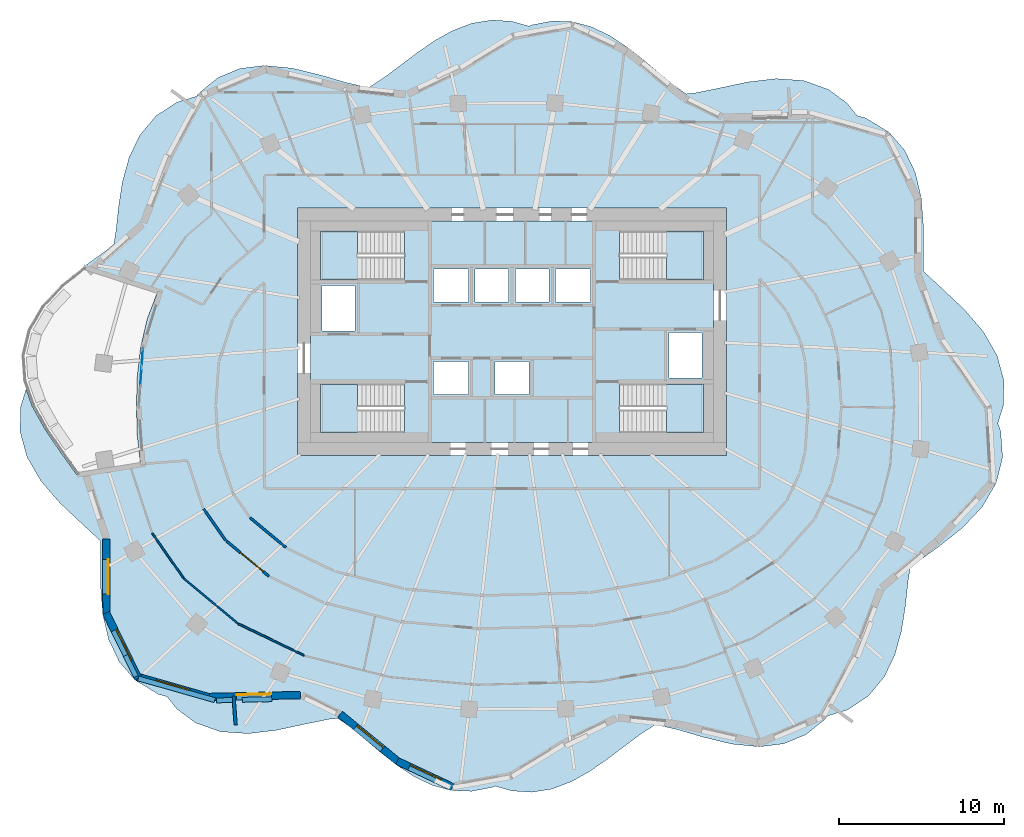
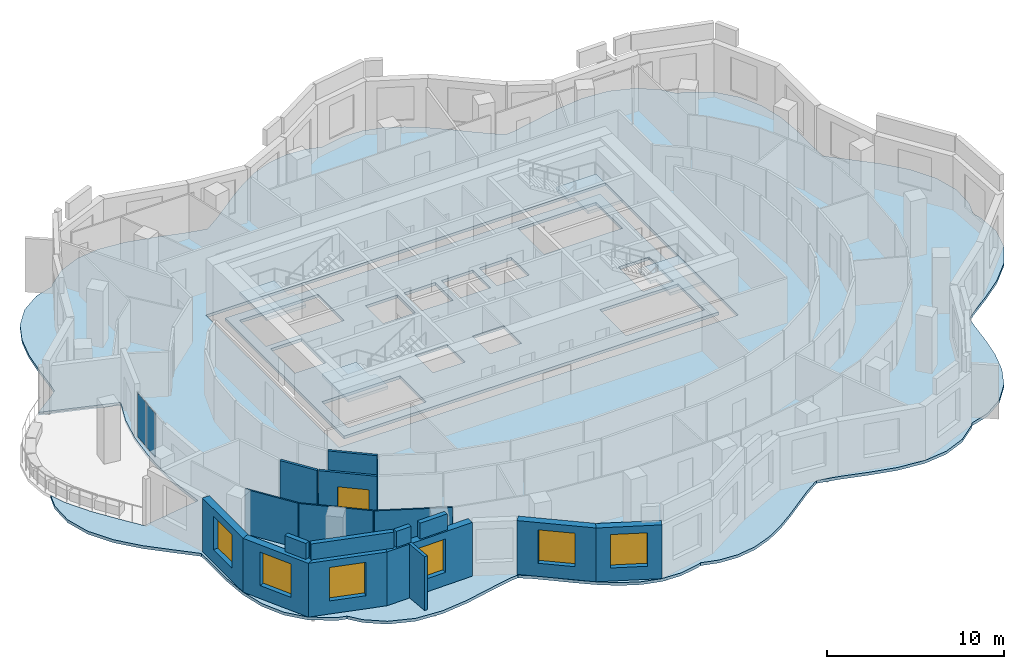
# One storey, part 4 of 13: 17 walls, 6 slabs, 6 windows, 2 plates, 1 door, 7 openings, 5 elements without a shape of their own.
"""IFC4 building model written with IfcOpenShell, lengths in metres."""

from ifc_helpers import new_model, si_unit, direction, frame, frame_2d, origin, origin_2d, place, context, subcontext, project, spatial, polyline, rectangle, outline, extrude, material, layer, layer_set, type_object, element, fill, aggregate, save


model = new_model("IFC4")

# Units and contexts
model_context = context("Model", 3, precision=1e-05, world=origin(), true_north=direction((0.0, 1.0)))
body_context = subcontext(model_context, "Body", "Model", "MODEL_VIEW")
ifc_project = project(units=[si_unit("LENGTHUNIT", "METRE"), si_unit("AREAUNIT", "SQUARE_METRE"), si_unit("VOLUMEUNIT", "CUBIC_METRE"), si_unit("PLANEANGLEUNIT", "RADIAN"), si_unit("MASSUNIT", "GRAM", prefix="KILO")], contexts=[model_context])

# Site, building, storey
site_placement = place(None, origin())
site = spatial("IfcSite", under=ifc_project, at=site_placement, CompositionType="ELEMENT")
building_placement = place(site_placement, origin())
building = spatial("IfcBuilding", under=site, at=building_placement, Name="Rubra Terraces Tower", CompositionType="ELEMENT")
storey_placement = place(building_placement, frame((0.0, 0.0, 209.10009765625)))
storey = spatial("IfcBuildingStorey", under=building, at=storey_placement, Name="L51", CompositionType="ELEMENT", Elevation=209.10009765625)

# Slab
ifc_material_1 = material(Name="Concrete C40", Category="concrete")
ifc_layer_1 = layer(ifc_material_1, 0.199951171875)
ifc_layer_set_1 = layer_set([ifc_layer_1], Name="Concrete C40")
slab_type_1 = type_object("IfcSlabType", Name="Core floor slab 200 concrete", PredefinedType="FLOOR", material=ifc_layer_set_1)
slab_1_placement = place(storey_placement, frame((0.0, 0.0, -0.2001953125)))
element("IfcSlab", 1, at=slab_1_placement, inside=storey, type_object=slab_type_1, Name="CORE FLOOR SLAB L51", PredefinedType="FLOOR", context=body_context, shape_type="SweptSolid", body=[
    extrude(outline(polyline([(-12.199951171875, -2.199951171875), (-12.199951171875, 11.199951171875), (12.199951171875, 11.199951171875), (12.199951171875, -2.199951171875), (-12.199951171875, -2.199951171875)]), holes=[polyline([(11.597900390625, 1.347900390625), (6.501953125, 1.347900390625), (6.501953125, -1.597900390625), (11.597900390625, -1.597900390625), (11.597900390625, 1.347900390625)]), polyline([(11.597900390625, 7.652099609375), (11.597900390625, 10.597900390625), (6.501953125, 10.597900390625), (6.501953125, 7.652099609375), (11.597900390625, 7.652099609375)]), polyline([(9.5, 1.699951171875), (11.5, 1.699951171875), (11.5, 4.449951171875), (9.5, 4.449951171875), (9.5, 1.699951171875)]), polyline([(4.75, 6.300048828125), (4.75, 8.300048828125), (2.64990234375, 8.300048828125), (2.64990234375, 6.300048828125), (4.75, 6.300048828125)]), polyline([(2.25, 8.300048828125), (0.199951171875, 8.300048828125), (0.199951171875, 6.300048828125), (2.25, 6.300048828125), (2.25, 8.300048828125)]), polyline([(1.02490234375, 0.699951171875), (1.02490234375, 2.699951171875), (-1.02490234375, 2.699951171875), (-1.02490234375, 0.699951171875), (1.02490234375, 0.699951171875)]), polyline([(-0.199951171875, 6.300048828125), (-0.199951171875, 8.300048828125), (-2.25, 8.300048828125), (-2.25, 6.300048828125), (-0.199951171875, 6.300048828125)]), polyline([(-4.75, 8.300048828125), (-4.75, 6.300048828125), (-2.64990234375, 6.300048828125), (-2.64990234375, 8.300048828125), (-4.75, 8.300048828125)]), polyline([(-2.64990234375, 0.699951171875), (-2.64990234375, 2.699951171875), (-4.75, 2.699951171875), (-4.75, 0.699951171875), (-2.64990234375, 0.699951171875)]), polyline([(-11.597900390625, -1.597900390625), (-6.501953125, -1.597900390625), (-6.501953125, 1.347900390625), (-11.597900390625, 1.347900390625), (-11.597900390625, -1.597900390625)]), polyline([(-11.597900390625, 10.597900390625), (-11.597900390625, 7.652099609375), (-6.501953125, 7.652099609375), (-6.501953125, 10.597900390625), (-11.597900390625, 10.597900390625)]), polyline([(-9.5, 4.550048828125), (-9.5, 7.300048828125), (-11.5, 7.300048828125), (-11.5, 4.550048828125), (-9.5, 4.550048828125)])]), origin(), (0.0, 0.0, 1.0), 0.2001953125),
])

# Stair, slab
stair_type = type_object("IfcStairType", Name="Core stair 1400", PredefinedType="HALF_TURN_STAIR", material=ifc_material_1)
stair_1_placement = place(storey_placement, origin())
stair_1 = element("IfcStair", 2, at=stair_1_placement, inside=storey, type_object=stair_type, Name="L51 Exit stair S1", PredefinedType="HALF_TURN_STAIR")
ifc_layer_2 = layer(ifc_material_1, 0.199951171875)
ifc_layer_set_2 = layer_set([ifc_layer_2], Name="Concrete C40")
slab_type_2 = type_object("IfcSlabType", Name="Core stair landing 200", PredefinedType="LANDING", material=ifc_layer_set_2)
slab_2_placement = place(storey_placement, frame((0.0, 0.0, 1.75)))
slab_2 = element("IfcSlab", 3, at=slab_2_placement, type_object=slab_type_2, Name="S1 landing 1", PredefinedType="LANDING", context=body_context, shape_type="SweptSolid", body=[
    extrude(outline(polyline([(-8.97998046875, -0.199951171875), (-8.97998046875, -1.60009765625), (-9.360107421875, -1.60009765625), (-9.3798828125, -1.60009765625), (-11.60009765625, -1.60009765625), (-11.60009765625, 1.35009765625), (-9.3798828125, 1.35009765625), (-9.35791015625, 1.35009765625), (-9.35791015625, -0.050048828125), (-9.360107421875, -0.050048828125), (-9.360107421875, -0.199951171875), (-8.97998046875, -0.199951171875)])), origin(), (0.0, 0.0, 1.0), 0.199951171875),
])
aggregate(stair_1, [slab_2])

stair_2_placement = place(storey_placement, origin())
stair_2 = element("IfcStair", 4, at=stair_2_placement, inside=storey, type_object=stair_type, Name="L51 Exit stair S2", PredefinedType="HALF_TURN_STAIR")
slab_3_placement = place(storey_placement, frame((0.0, 0.0, 1.75)))
slab_3 = element("IfcSlab", 5, at=slab_3_placement, type_object=slab_type_2, Name="S2 landing 1", PredefinedType="LANDING", context=body_context, shape_type="SweptSolid", body=[
    extrude(outline(polyline([(-8.97998046875, 9.050048828125), (-8.97998046875, 7.64990234375), (-9.3798828125, 7.64990234375), (-11.60009765625, 7.64990234375), (-11.60009765625, 10.60009765625), (-9.3798828125, 10.60009765625), (-9.360107421875, 10.60009765625), (-9.35791015625, 10.60009765625), (-9.35791015625, 9.199951171875), (-9.360107421875, 9.199951171875), (-9.360107421875, 9.050048828125), (-8.97998046875, 9.050048828125)])), origin(), (0.0, 0.0, 1.0), 0.199951171875),
])
aggregate(stair_2, [slab_3])

stair_3_placement = place(storey_placement, origin())
stair_3 = element("IfcStair", 6, at=stair_3_placement, inside=storey, type_object=stair_type, Name="L51 Exit stair S3", PredefinedType="HALF_TURN_STAIR")
slab_4_placement = place(storey_placement, frame((0.0, 0.0, 1.75)))
slab_4 = element("IfcSlab", 7, at=slab_4_placement, type_object=slab_type_2, Name="S3 landing 1", PredefinedType="LANDING", context=body_context, shape_type="SweptSolid", body=[
    extrude(outline(polyline([(9.360107421875, 9.050048828125), (9.360107421875, 9.199951171875), (8.97998046875, 9.199951171875), (8.97998046875, 10.60009765625), (9.360107421875, 10.60009765625), (9.3798828125, 10.60009765625), (11.60009765625, 10.60009765625), (11.60009765625, 7.64990234375), (9.3798828125, 7.64990234375), (9.35791015625, 7.64990234375), (9.35791015625, 9.050048828125), (9.360107421875, 9.050048828125)])), origin(), (0.0, 0.0, 1.0), 0.199951171875),
])
aggregate(stair_3, [slab_4])

stair_4_placement = place(storey_placement, origin())
stair_4 = element("IfcStair", 8, at=stair_4_placement, inside=storey, type_object=stair_type, Name="L51 Exit stair S4", PredefinedType="HALF_TURN_STAIR")
slab_5_placement = place(storey_placement, frame((0.0, 0.0, 1.75)))
slab_5 = element("IfcSlab", 9, at=slab_5_placement, type_object=slab_type_2, Name="S4 landing 1", PredefinedType="LANDING", context=body_context, shape_type="SweptSolid", body=[
    extrude(outline(polyline([(9.360107421875, -0.199951171875), (9.360107421875, -0.050048828125), (8.97998046875, -0.050048828125), (8.97998046875, 1.35009765625), (9.360107421875, 1.35009765625), (9.3798828125, 1.35009765625), (11.60009765625, 1.35009765625), (11.60009765625, -1.60009765625), (9.3798828125, -1.60009765625), (9.360107421875, -1.60009765625), (9.35791015625, -1.60009765625), (9.35791015625, -0.199951171875), (9.360107421875, -0.199951171875)])), origin(), (0.0, 0.0, 1.0), 0.199951171875),
])
aggregate(stair_4, [slab_5])

# Slab
ifc_layer_3 = layer(ifc_material_1, 0.199951171875)
ifc_layer_set_3 = layer_set([ifc_layer_3], Name="Concrete C40")
slab_type_3 = type_object("IfcSlabType", Name="FLOOR SLAB 200 COMPOSITE", PredefinedType="FLOOR", material=ifc_layer_set_3)
slab_6_placement = place(storey_placement, frame((0.0, 0.0, -0.2001953125)))
element("IfcSlab", 10, at=slab_6_placement, inside=storey, type_object=slab_type_3, Name="FLOOR SLAB L51", PredefinedType="FLOOR", context=body_context, shape_type="SweptSolid", body=[
    extrude(outline(polyline([(11.056884765625, 18.9619140625), (10.547119140625, 18.9189453125), (9.8779296875, 19.385986328125), (8.966064453125, 20.132080078125), (8.028076171875, 20.926025390625), (7.051025390625, 21.700927734375), (5.968994140625, 22.422119140625), (4.843994140625, 22.967041015625), (3.68701171875, 23.281982421875), (2.450927734375, 23.33203125), (1.217041015625, 23.095947265625), (1.02099609375, 23.01904296875), (0.0, 23.306884765625), (-1.201904296875, 23.389892578125), (-2.408935546875, 23.197998046875), (-3.60302734375, 22.7470703125), (-4.675048828125, 22.14794921875), (-5.714111328125, 21.43408203125), (-6.718017578125, 20.675048828125), (-7.68701171875, 19.948974609375), (-8.639892578125, 19.31689453125), (-8.69189453125, 19.2900390625), (-9.97998046875, 19.5869140625), (-11.60498046875, 20.055908203125), (-13.2958984375, 20.468994140625), (-14.993896484375, 20.637939453125), (-16.469970703125, 20.4541015625), (-17.81298828125, 19.89404296875), (-18.964111328125, 18.964111328125), (-19.114013671875, 18.77001953125), (-20.320068359375, 18.403076171875), (-21.5791015625, 17.572998046875), (-22.55908203125, 16.389892578125), (-23.196044921875, 15.06103515625), (-23.595947265625, 13.60791015625), (-23.824951171875, 12.139892578125), (-23.992919921875, 10.60107421875), (-24.117919921875, 9.81396484375), (-24.5869140625, 9.424072265625), (-25.9599609375, 8.43505859375), (-21.452880859375, 6.969970703125), (-22.092041015625, 5.302978515625), (-22.4990234375, 3.56396484375), (-22.701904296875, 1.787109375), (-22.75, 0.0), (-22.701904296875, -1.787109375), (-22.4990234375, -3.56396484375), (-26.34912109375, -4.173095703125), (-27.278076171875, -2.87890625), (-28.240966796875, -1.47998046875), (-29.06689453125, 0.0), (-29.43310546875, 1.035888671875), (-29.757080078125, 0.0), (-29.802978515625, -1.535888671875), (-29.383056640625, -3.072021484375), (-28.547119140625, -4.52099609375), (-27.39111328125, -5.866943359375), (-26.136962890625, -7.0458984375), (-24.98291015625, -8.116943359375), (-24.93310546875, -8.175048828125), (-24.9169921875, -9.5029296875), (-24.9150390625, -11.032958984375), (-24.7890625, -12.631103515625), (-24.43603515625, -14.136962890625), (-23.7900390625, -15.491943359375), (-22.839111328125, -16.593017578125), (-21.4150390625, -17.4619140625), (-20.902099609375, -17.594970703125), (-20.301025390625, -18.346923828125), (-19.179931640625, -19.179931640625), (-17.657958984375, -19.72412109375), (-15.985107421875, -19.839111328125), (-14.263916015625, -19.633056640625), (-12.615966796875, -19.281005859375), (-11.056884765625, -18.9619140625), (-10.547119140625, -18.9189453125), (-9.8779296875, -19.385986328125), (-8.966064453125, -20.132080078125), (-8.028076171875, -20.926025390625), (-7.051025390625, -21.700927734375), (-5.968994140625, -22.422119140625), (-4.843994140625, -22.967041015625), (-3.68701171875, -23.281982421875), (-2.450927734375, -23.33203125), (-1.217041015625, -23.095947265625), (-1.02099609375, -23.01904296875), (0.0, -23.306884765625), (1.201904296875, -23.389892578125), (2.408935546875, -23.197998046875), (3.60302734375, -22.7470703125), (4.675048828125, -22.14794921875), (5.714111328125, -21.43408203125), (6.718017578125, -20.675048828125), (7.68701171875, -19.948974609375), (8.639892578125, -19.31689453125), (8.69189453125, -19.2900390625), (9.97998046875, -19.5869140625), (11.60498046875, -20.055908203125), (13.2958984375, -20.468994140625), (14.993896484375, -20.637939453125), (16.469970703125, -20.4541015625), (17.81298828125, -19.89404296875), (18.964111328125, -18.964111328125), (19.114013671875, -18.77001953125), (20.320068359375, -18.403076171875), (21.5791015625, -17.572998046875), (22.55908203125, -16.389892578125), (23.196044921875, -15.06103515625), (23.595947265625, -13.60791015625), (23.824951171875, -12.139892578125), (23.992919921875, -10.60107421875), (24.117919921875, -9.81396484375), (24.5869140625, -9.424072265625), (25.9599609375, -8.43505859375), (27.302001953125, -7.363037109375), (28.489990234375, -6.096923828125), (29.337890625, -4.64697265625), (29.717041015625, -3.10107421875), (29.60595703125, -1.52587890625), (29.06689453125, 0.0), (29.43310546875, -1.035888671875), (29.757080078125, 0.0), (29.802978515625, 1.535888671875), (29.383056640625, 3.072021484375), (28.547119140625, 4.52099609375), (27.39111328125, 5.866943359375), (26.136962890625, 7.0458984375), (24.98291015625, 8.116943359375), (24.93310546875, 8.175048828125), (24.9169921875, 9.5029296875), (24.9150390625, 11.032958984375), (24.7890625, 12.631103515625), (24.43603515625, 14.136962890625), (23.7900390625, 15.491943359375), (22.839111328125, 16.593017578125), (21.4150390625, 17.4619140625), (20.902099609375, 17.594970703125), (20.301025390625, 18.346923828125), (19.179931640625, 19.179931640625), (17.657958984375, 19.72412109375), (15.985107421875, 19.839111328125), (14.263916015625, 19.633056640625), (12.615966796875, 19.281005859375), (11.056884765625, 18.9619140625)]), holes=[polyline([(13.0, 12.0), (13.0, -3.0), (-13.0, -3.0), (-13.0, 12.0), (13.0, 12.0)])]), origin(), (0.0, 0.0, 1.0), 0.2001953125),
])

# Curtain wall, plates
ifc_material_2 = material(Name="Aluminium and glass", Category="aluminium")
curtain_wall_type = type_object("IfcCurtainWallType", Name="Curtain wall Terrace glazing", PredefinedType="NOTDEFINED", material=ifc_material_2)
curtain_wall_placement = place(storey_placement, origin())
curtain_wall = element("IfcCurtainWall", 11, at=curtain_wall_placement, inside=storey, type_object=curtain_wall_type, Name="Terrace glazing L51", PredefinedType="NOTDEFINED")
ifc_material_3 = material(Name="Clear glass, laminated", Category="glass")
ifc_layer_4 = layer(ifc_material_3, 0.028076171875)
ifc_layer_set_4 = layer_set([ifc_layer_4], Name="Clear glass, laminated")
plate_type = type_object("IfcPlateType", Name="Terrace glazing glass panel 28", PredefinedType="CURTAIN_PANEL", material=ifc_layer_set_4)
plate_1_placement = place(storey_placement, frame((-22.39208984375, 2.947021484375, 0.099853515625), z_axis=(0.0, 0.0, 1.0), x_axis=(-0.070252480296, -0.997529242184, 0.0)))
plate_1 = element("IfcPlate", 12, at=plate_1_placement, type_object=plate_type, Name="CW3 panel 1.1", PredefinedType="CURTAIN_PANEL", context=body_context, shape_type="SweptSolid", body=[
    extrude(rectangle(XDim=1.115966796875, YDim=0.028076171875, at=origin_2d()), origin(), (0.0, 0.0, 1.0), 3.00390625),
])
plate_2_placement = place(storey_placement, frame((-22.474853515625, 1.771484375, 0.099853515625), z_axis=(0.0, 0.0, 1.0), x_axis=(-0.070252480296, -0.997529242184, 0.0)))
plate_2 = element("IfcPlate", 13, at=plate_2_placement, type_object=plate_type, Name="CW3 panel 2.1", PredefinedType="CURTAIN_PANEL", context=body_context, shape_type="SweptSolid", body=[
    extrude(rectangle(XDim=1.140869140625, YDim=0.028076171875, at=origin_2d()), origin(), (0.0, 0.0, 1.0), 3.00390625),
])
aggregate(curtain_wall, [plate_1, plate_2])

# Wall, opening, window
ifc_material_4 = material(Name="Brick masonry red-brown", Category="masonry")
ifc_layer_5 = layer(ifc_material_4, 0.449951171875)
ifc_layer_set_5 = layer_set([ifc_layer_5], Name="Brick masonry red-brown")
wall_type_1 = type_object("IfcWallType", Name="Brick facade wall 450", PredefinedType="SOLIDWALL", material=ifc_layer_set_5)
wall_1_placement = place(storey_placement, frame((-24.5712890625, -8.044189453125, 0.0), z_axis=(0.0, 0.0, 1.0), x_axis=(0.001546005189, -0.999998804933, 0.0)))
wall_1 = element("IfcWall", 14, at=wall_1_placement, inside=storey, type_object=wall_type_1, Name="Facade wall L51 bay 23", PredefinedType="SOLIDWALL", context=body_context, shape_type="SweptSolid", body=[
    extrude(rectangle(XDim=4.57958984375, YDim=0.449951171875, at=frame_2d((2.289794921875, 0.0))), origin(), (0.0, 0.0, 1.0), 3.699951171875),
])
opening_1_placement = place(wall_1_placement, frame((1.23974609375, 0.0, 0.89990234375)))
opening_1 = element("IfcOpeningElement", 15, at=opening_1_placement, cuts=wall_1, Name="Opening W1B", PredefinedType="OPENING", context=body_context, shape_type="SweptSolid", body=[
    extrude(rectangle(XDim=2.10009765625, YDim=2.300048828125, at=frame_2d((1.050048828125, 1.14990234375))), frame((0.0, 0.23486328125, 0.0), z_axis=(0.0, -1.0, 0.0), x_axis=(1.0, 0.0, 0.0)), (0.0, 0.0, 1.0), 0.469970703125),
])
ifc_material_5 = material(Name="Clear glass in aluminium frame", Category="aluminium")
window_type = type_object("IfcWindowType", Name="Fixed deep-set window tall storey 2100 x 2300", PartitioningType="SINGLE_PANEL", PredefinedType="WINDOW", material=ifc_material_5)
window_1_placement = place(opening_1_placement, origin())
window_1 = element("IfcWindow", 16, at=window_1_placement, inside=storey, type_object=window_type, Name="Window L51 bay 23", OverallHeight=2.300048828125, OverallWidth=2.10009765625, PartitioningType="SINGLE_PANEL", PredefinedType="WINDOW", context=body_context, shape_type="SweptSolid", body=[
    extrude(rectangle(XDim=2.10009765625, YDim=2.300048828125, at=frame_2d((1.050048828125, 1.14990234375))), frame((0.0, 0.135009765625, 0.0), z_axis=(0.0, -1.0, 0.0), x_axis=(1.0, 0.0, 0.0)), (0.0, 0.0, 1.0), 0.06005859375),
])
fill(opening_1, window_1)

wall_2_placement = place(storey_placement, frame((-24.587158203125, -12.531494140625, 0.0), z_axis=(0.0, 0.0, 1.0), x_axis=(0.441565582365, -0.897228976611, 0.0)))
wall_2 = element("IfcWall", 17, at=wall_2_placement, inside=storey, type_object=wall_type_1, Name="Facade wall L51 bay 24", PredefinedType="SOLIDWALL", context=body_context, shape_type="SweptSolid", body=[
    extrude(rectangle(XDim=4.416015625, YDim=0.449951171875, at=frame_2d((2.2080078125, 0.0))), origin(), (0.0, 0.0, 1.0), 3.699951171875),
])
opening_2_placement = place(wall_2_placement, frame((1.157958984375, 0.0, 0.89990234375)))
opening_2 = element("IfcOpeningElement", 18, at=opening_2_placement, cuts=wall_2, Name="Opening W1B", PredefinedType="OPENING", context=body_context, shape_type="SweptSolid", body=[
    extrude(rectangle(XDim=2.10009765625, YDim=2.300048828125, at=frame_2d((1.050048828125, 1.14990234375))), frame((0.0, 0.23486328125, 0.0), z_axis=(0.0, -1.0, 0.0), x_axis=(1.0, 0.0, 0.0)), (0.0, 0.0, 1.0), 0.469970703125),
])
window_2_placement = place(opening_2_placement, origin())
window_2 = element("IfcWindow", 19, at=window_2_placement, inside=storey, type_object=window_type, Name="Window L51 bay 24", OverallHeight=2.300048828125, OverallWidth=2.10009765625, PartitioningType="SINGLE_PANEL", PredefinedType="WINDOW", context=body_context, shape_type="SweptSolid", body=[
    extrude(rectangle(XDim=2.10009765625, YDim=2.300048828125, at=frame_2d((1.050048828125, 1.14990234375))), frame((0.0, 0.135009765625, 0.0), z_axis=(0.0, -1.0, 0.0), x_axis=(1.0, 0.0, 0.0)), (0.0, 0.0, 1.0), 0.06005859375),
])
fill(opening_2, window_2)

wall_3_placement = place(storey_placement, frame((-22.777587890625, -16.376708984375, 0.0), z_axis=(0.0, 0.0, 1.0), x_axis=(0.961872816949, -0.273497137123, 0.0)))
wall_3 = element("IfcWall", 20, at=wall_3_placement, inside=storey, type_object=wall_type_1, Name="Facade wall L51 bay 25", PredefinedType="SOLIDWALL", context=body_context, shape_type="SweptSolid", body=[
    extrude(rectangle(XDim=4.584716796875, YDim=0.449951171875, at=frame_2d((2.29248046875, 0.0))), origin(), (0.0, 0.0, 1.0), 3.699951171875),
])
opening_3_placement = place(wall_3_placement, frame((1.242431640625, 0.0, 0.89990234375)))
opening_3 = element("IfcOpeningElement", 21, at=opening_3_placement, cuts=wall_3, Name="Opening W1B", PredefinedType="OPENING", context=body_context, shape_type="SweptSolid", body=[
    extrude(rectangle(XDim=2.10009765625, YDim=2.300048828125, at=frame_2d((1.050048828125, 1.14990234375))), frame((0.0, 0.23486328125, 0.0), z_axis=(0.0, -1.0, 0.0), x_axis=(1.0, 0.0, 0.0)), (0.0, 0.0, 1.0), 0.469970703125),
])
window_3_placement = place(opening_3_placement, origin())
window_3 = element("IfcWindow", 22, at=window_3_placement, inside=storey, type_object=window_type, Name="Window L51 bay 25", OverallHeight=2.300048828125, OverallWidth=2.10009765625, PartitioningType="SINGLE_PANEL", PredefinedType="WINDOW", context=body_context, shape_type="SweptSolid", body=[
    extrude(rectangle(XDim=2.10009765625, YDim=2.300048828125, at=frame_2d((1.050048828125, 1.14990234375))), frame((0.0, 0.135009765625, 0.0), z_axis=(0.0, -1.0, 0.0), x_axis=(1.0, 0.0, 0.0)), (0.0, 0.0, 1.0), 0.06005859375),
])
fill(opening_3, window_3)

wall_4_placement = place(storey_placement, frame((-18.433837890625, -17.622314453125, 0.0), z_axis=(0.0, 0.0, 1.0), x_axis=(0.999773749739, 0.021270856405, 0.0)))
wall_4 = element("IfcWall", 23, at=wall_4_placement, inside=storey, type_object=wall_type_1, Name="Facade wall L51 bay 26", PredefinedType="SOLIDWALL", context=body_context, shape_type="SweptSolid", body=[
    extrude(rectangle(XDim=5.612548828125, YDim=0.449951171875, at=frame_2d((2.80615234375, 0.0))), origin(), (0.0, 0.0, 1.0), 3.699951171875),
])
opening_4_placement = place(wall_4_placement, frame((1.75634765625, 0.0, 0.89990234375)))
opening_4 = element("IfcOpeningElement", 24, at=opening_4_placement, cuts=wall_4, Name="Opening W1B", PredefinedType="OPENING", context=body_context, shape_type="SweptSolid", body=[
    extrude(rectangle(XDim=2.10009765625, YDim=2.300048828125, at=frame_2d((1.050048828125, 1.14990234375))), frame((0.0, 0.23486328125, 0.0), z_axis=(0.0, -1.0, 0.0), x_axis=(1.0, 0.0, 0.0)), (0.0, 0.0, 1.0), 0.469970703125),
])
window_4_placement = place(opening_4_placement, origin())
window_4 = element("IfcWindow", 25, at=window_4_placement, inside=storey, type_object=window_type, Name="Window L51 bay 26", OverallHeight=2.300048828125, OverallWidth=2.10009765625, PartitioningType="SINGLE_PANEL", PredefinedType="WINDOW", context=body_context, shape_type="SweptSolid", body=[
    extrude(rectangle(XDim=2.10009765625, YDim=2.300048828125, at=frame_2d((1.050048828125, 1.14990234375))), frame((0.0, 0.135009765625, 0.0), z_axis=(0.0, -1.0, 0.0), x_axis=(1.0, 0.0, 0.0)), (0.0, 0.0, 1.0), 0.06005859375),
])
fill(opening_4, window_4)

wall_5_placement = place(storey_placement, frame((-10.407470703125, -18.660888671875, 0.0), z_axis=(0.0, 0.0, 1.0), x_axis=(0.773702458947, -0.633549133864, 0.0)))
wall_5 = element("IfcWall", 26, at=wall_5_placement, inside=storey, type_object=wall_type_1, Name="Facade wall L51 bay 28", PredefinedType="SOLIDWALL", context=body_context, shape_type="SweptSolid", body=[
    extrude(rectangle(XDim=4.525634765625, YDim=0.449951171875, at=frame_2d((2.2626953125, 0.0))), origin(), (0.0, 0.0, 1.0), 3.699951171875),
])
opening_5_placement = place(wall_5_placement, frame((1.212890625, 0.0, 0.89990234375)))
opening_5 = element("IfcOpeningElement", 27, at=opening_5_placement, cuts=wall_5, Name="Opening W1B", PredefinedType="OPENING", context=body_context, shape_type="SweptSolid", body=[
    extrude(rectangle(XDim=2.10009765625, YDim=2.300048828125, at=frame_2d((1.050048828125, 1.14990234375))), frame((0.0, 0.23486328125, 0.0), z_axis=(0.0, -1.0, 0.0), x_axis=(1.0, 0.0, 0.0)), (0.0, 0.0, 1.0), 0.469970703125),
])
window_5_placement = place(opening_5_placement, origin())
window_5 = element("IfcWindow", 28, at=window_5_placement, inside=storey, type_object=window_type, Name="Window L51 bay 28", OverallHeight=2.300048828125, OverallWidth=2.10009765625, PartitioningType="SINGLE_PANEL", PredefinedType="WINDOW", context=body_context, shape_type="SweptSolid", body=[
    extrude(rectangle(XDim=2.10009765625, YDim=2.300048828125, at=frame_2d((1.050048828125, 1.14990234375))), frame((0.0, 0.135009765625, 0.0), z_axis=(0.0, -1.0, 0.0), x_axis=(1.0, 0.0, 0.0)), (0.0, 0.0, 1.0), 0.06005859375),
])
fill(opening_5, window_5)

wall_6_placement = place(storey_placement, frame((-6.952880859375, -21.49853515625, 0.0), z_axis=(0.0, 0.0, 1.0), x_axis=(0.905034581957, -0.425337989676, 0.0)))
wall_6 = element("IfcWall", 29, at=wall_6_placement, inside=storey, type_object=wall_type_1, Name="Facade wall L51 bay 29", PredefinedType="SOLIDWALL", context=body_context, shape_type="SweptSolid", body=[
    extrude(rectangle(XDim=3.71435546875, YDim=0.449951171875, at=frame_2d((1.857177734375, 0.0))), origin(), (0.0, 0.0, 1.0), 3.699951171875),
])
opening_6_placement = place(wall_6_placement, frame((0.80712890625, 0.0, 0.89990234375)))
opening_6 = element("IfcOpeningElement", 30, at=opening_6_placement, cuts=wall_6, Name="Opening W1B", PredefinedType="OPENING", context=body_context, shape_type="SweptSolid", body=[
    extrude(rectangle(XDim=2.10009765625, YDim=2.300048828125, at=frame_2d((1.050048828125, 1.14990234375))), frame((0.0, 0.23486328125, 0.0), z_axis=(0.0, -1.0, 0.0), x_axis=(1.0, 0.0, 0.0)), (0.0, 0.0, 1.0), 0.469970703125),
])
window_6_placement = place(opening_6_placement, origin())
window_6 = element("IfcWindow", 31, at=window_6_placement, inside=storey, type_object=window_type, Name="Window L51 bay 29", OverallHeight=2.300048828125, OverallWidth=2.10009765625, PartitioningType="SINGLE_PANEL", PredefinedType="WINDOW", context=body_context, shape_type="SweptSolid", body=[
    extrude(rectangle(XDim=2.10009765625, YDim=2.300048828125, at=frame_2d((1.050048828125, 1.14990234375))), frame((0.0, 0.135009765625, 0.0), z_axis=(0.0, -1.0, 0.0), x_axis=(1.0, 0.0, 0.0)), (0.0, 0.0, 1.0), 0.06005859375),
])
fill(opening_6, window_6)

# Walls
ifc_layer_6 = layer(ifc_material_4, 0.300048828125)
ifc_layer_set_6 = layer_set([ifc_layer_6], Name="Brick masonry red-brown")
wall_type_2 = type_object("IfcWallType", Name="Brick parapet 300", PredefinedType="PARAPET", material=ifc_layer_set_6)
wall_7_placement = place(storey_placement, frame((-23.40673828125, -15.099609375, 3.89990234375), z_axis=(0.0, 0.0, 1.0), x_axis=(0.441525139575, -0.897248879143, 0.0)))
element("IfcWall", 32, at=wall_7_placement, inside=storey, type_object=wall_type_2, Name="Parapet L51 bay 24", PredefinedType="PARAPET", context=body_context, shape_type="SweptSolid", body=[
    extrude(rectangle(XDim=1.42724609375, YDim=0.300048828125, at=frame_2d((0.713623046875, 0.0))), origin(), (0.0, 0.0, 1.0), 1.10009765625),
])
wall_8_placement = place(storey_placement, frame((-22.640869140625, -16.493408203125, 3.89990234375), z_axis=(0.0, 0.0, 1.0), x_axis=(0.961855991684, -0.273556303641, 0.0)))
element("IfcWall", 33, at=wall_8_placement, inside=storey, type_object=wall_type_2, Name="Parapet L51 bay 25", PredefinedType="PARAPET", context=body_context, shape_type="SweptSolid", body=[
    extrude(rectangle(XDim=4.817626953125, YDim=0.300048828125, at=frame_2d((2.40869140625, 0.0))), origin(), (0.0, 0.0, 1.0), 1.10009765625),
])
wall_9_placement = place(storey_placement, frame((-17.904052734375, -17.824462890625, 3.89990234375), z_axis=(0.0, 0.0, 1.0), x_axis=(0.999771907309, 0.021357278744, 0.0)))
element("IfcWall", 34, at=wall_9_placement, inside=storey, type_object=wall_type_2, Name="Parapet L51 bay 26", PredefinedType="PARAPET", context=body_context, shape_type="SweptSolid", body=[
    extrude(rectangle(XDim=0.9716796875, YDim=0.300048828125, at=frame_2d((0.48583984375, 0.0))), origin(), (0.0, 0.0, 1.0), 1.10009765625),
])
wall_10_placement = place(storey_placement, frame((-16.339599609375, -17.791259765625, 3.89990234375), z_axis=(0.0, 0.0, 1.0), x_axis=(0.999776010316, 0.021164337831, 0.0)))
element("IfcWall", 35, at=wall_10_placement, inside=storey, type_object=wall_type_2, Name="Parapet L51 bay 26.2", PredefinedType="PARAPET", context=body_context, shape_type="SweptSolid", body=[
    extrude(rectangle(XDim=1.7880859375, YDim=0.300048828125, at=frame_2d((0.89404296875, 0.0))), origin(), (0.0, 0.0, 1.0), 1.10009765625),
])
ifc_layer_7 = layer(ifc_material_4, 0.199951171875)
ifc_layer_set_7 = layer_set([ifc_layer_7], Name="Brick masonry red-brown")
wall_type_3 = type_object("IfcWallType", Name="Brick wind fin 200", PredefinedType="SOLIDWALL", material=ifc_layer_set_7)
wall_11_placement = place(storey_placement, frame((-16.868896484375, -17.56591796875, 0.0), z_axis=(0.0, 0.0, 1.0), x_axis=(0.073655868346, -0.997283717434, 0.0)))
element("IfcWall", 36, at=wall_11_placement, inside=storey, type_object=wall_type_3, Name="Wind fin L51 16", PredefinedType="SOLIDWALL", context=body_context, shape_type="SweptSolid", body=[
    extrude(rectangle(XDim=1.75, YDim=0.199951171875, at=frame_2d((0.875, 0.0))), origin(), (0.0, 0.0, 1.0), 3.699951171875),
])
ifc_material_6 = material(Name="Plasterboard on steel stud, mineral wool infill", Category="steel")
ifc_layer_8 = layer(ifc_material_6, 0.14990234375)
ifc_layer_set_8 = layer_set([ifc_layer_8], Name="Plasterboard on steel stud, mineral wool infill")
wall_type_4 = type_object("IfcWallType", Name="CORRIDOR PARTITION 150", PredefinedType="PARTITIONING", material=ifc_layer_set_8)
wall_12_placement = place(storey_placement, frame((-18.673828125, -6.231689453125, 0.0), z_axis=(0.0, 0.0, 1.0), x_axis=(0.572118665737, -0.820170855563, 0.0)))
element("IfcWall", 37, at=wall_12_placement, inside=storey, type_object=wall_type_4, Name="PARTITION", PredefinedType="PARTITIONING", context=body_context, shape_type="SweptSolid", body=[
    extrude(rectangle(XDim=2.30615234375, YDim=0.14990234375, at=frame_2d((1.153076171875, 0.0))), origin(), (0.0, 0.0, 1.0), 3.083984375),
])

# Wall, opening, door
wall_13_placement = place(storey_placement, frame((-17.296875, -8.1708984375, 0.0), z_axis=(0.0, 0.0, 1.0), x_axis=(0.769228575061, -0.638973707839, 0.0)))
wall_13 = element("IfcWall", 38, at=wall_13_placement, inside=storey, type_object=wall_type_4, Name="PARTITION", PredefinedType="PARTITIONING", context=body_context, shape_type="SweptSolid", body=[
    extrude(rectangle(XDim=3.33447265625, YDim=0.14990234375, at=frame_2d((1.667236328125, 0.0))), origin(), (0.0, 0.0, 1.0), 3.083984375),
])
opening_7_placement = place(wall_13_placement, frame((1.10009765625, 0.0, 0.0)))
opening_7 = element("IfcOpeningElement", 39, at=opening_7_placement, cuts=wall_13, Name="Opening 51-104", PredefinedType="OPENING", context=body_context, shape_type="SweptSolid", body=[
    extrude(rectangle(XDim=1.800048828125, YDim=2.10009765625, at=frame_2d((0.89990234375, 1.050048828125))), frame((0.0, 0.0849609375, 0.0), z_axis=(0.0, -1.0, 0.0), x_axis=(1.0, 0.0, 0.0)), (0.0, 0.0, 1.0), 0.169921875),
])
ifc_material_7 = material(Name="Painted timber door leaf, double", Category="wood")
door_type = type_object("IfcDoorType", Name="ROOM DOUBLE DOOR 1800 X 2100", OperationType="DOUBLE_DOOR_SINGLE_SWING", PredefinedType="DOOR", material=ifc_material_7)
door_placement = place(opening_7_placement, origin())
door = element("IfcDoor", 40, at=door_placement, inside=storey, type_object=door_type, Name="DOOR 51-104", OperationType="DOUBLE_DOOR_SINGLE_SWING", OverallHeight=2.10009765625, OverallWidth=1.800048828125, PredefinedType="DOOR", context=body_context, shape_type="SweptSolid", body=[
    extrude(rectangle(XDim=1.800048828125, YDim=2.10009765625, at=frame_2d((0.89990234375, 1.050048828125))), frame((0.0, 0.02490234375, 0.0), z_axis=(0.0, -1.0, 0.0), x_axis=(1.0, 0.0, 0.0)), (0.0, 0.0, 1.0), 0.050048828125),
])
fill(opening_7, door)

# Walls
wall_14_placement = place(storey_placement, frame((-13.70166015625, -8.557373046875, 0.0), z_axis=(0.0, 0.0, 1.0), x_axis=(-0.769221825067, 0.638981833733, 0.0)))
element("IfcWall", 41, at=wall_14_placement, inside=storey, type_object=wall_type_4, Name="PARTITION", PredefinedType="PARTITIONING", context=body_context, shape_type="SweptSolid", body=[
    extrude(rectangle(XDim=2.8173828125, YDim=0.14990234375, at=frame_2d((1.40869140625, 0.0))), origin(), (0.0, 0.0, 1.0), 3.083984375),
])
ifc_material_8 = material(Name="Plasterboard on steel stud", Category="steel")
ifc_layer_9 = layer(ifc_material_8, 0.10009765625)
ifc_layer_set_9 = layer_set([ifc_layer_9], Name="Plasterboard on steel stud")
wall_type_5 = type_object("IfcWallType", Name="ROOM PARTITION 100", PredefinedType="PARTITIONING", material=ifc_layer_set_9)
wall_15_placement = place(storey_placement, frame((-12.597412109375, -15.09765625, 0.0), z_axis=(0.0, 0.0, 1.0), x_axis=(-0.901514437286, 0.432749025839, 0.0)))
element("IfcWall", 42, at=wall_15_placement, inside=storey, type_object=wall_type_5, Name="PARTITION", PredefinedType="PARTITIONING", context=body_context, shape_type="SweptSolid", body=[
    extrude(rectangle(XDim=4.419677734375, YDim=0.10009765625, at=frame_2d((2.2099609375, 0.0))), origin(), (0.0, 0.0, 1.0), 3.083984375),
])
wall_16_placement = place(storey_placement, frame((-16.6201171875, -13.153076171875, 0.0), z_axis=(0.0, 0.0, 1.0), x_axis=(-0.76922129881, 0.638982467253, 0.0)))
element("IfcWall", 43, at=wall_16_placement, inside=storey, type_object=wall_type_5, Name="PARTITION", PredefinedType="PARTITIONING", context=body_context, shape_type="SweptSolid", body=[
    extrude(rectangle(XDim=4.23828125, YDim=0.10009765625, at=frame_2d((2.119140625, 0.0))), origin(), (0.0, 0.0, 1.0), 3.083984375),
])
wall_17_placement = place(storey_placement, frame((-19.908935546875, -10.40380859375, 0.0), z_axis=(0.0, 0.0, 1.0), x_axis=(-0.572111951901, 0.820175538828, 0.0)))
element("IfcWall", 44, at=wall_17_placement, inside=storey, type_object=wall_type_5, Name="PARTITION", PredefinedType="PARTITIONING", context=body_context, shape_type="SweptSolid", body=[
    extrude(rectangle(XDim=3.2900390625, YDim=0.10009765625, at=frame_2d((1.64501953125, 0.0))), origin(), (0.0, 0.0, 1.0), 3.083984375),
])

save(model, "model.ifc")
